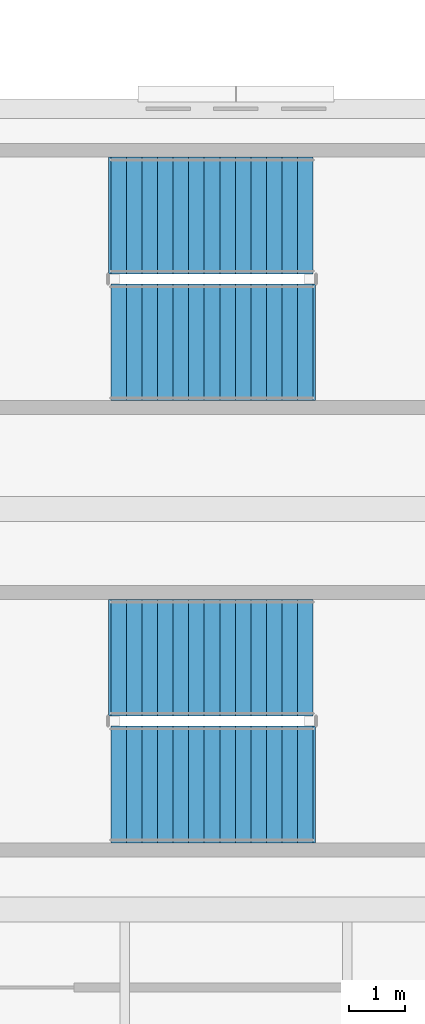
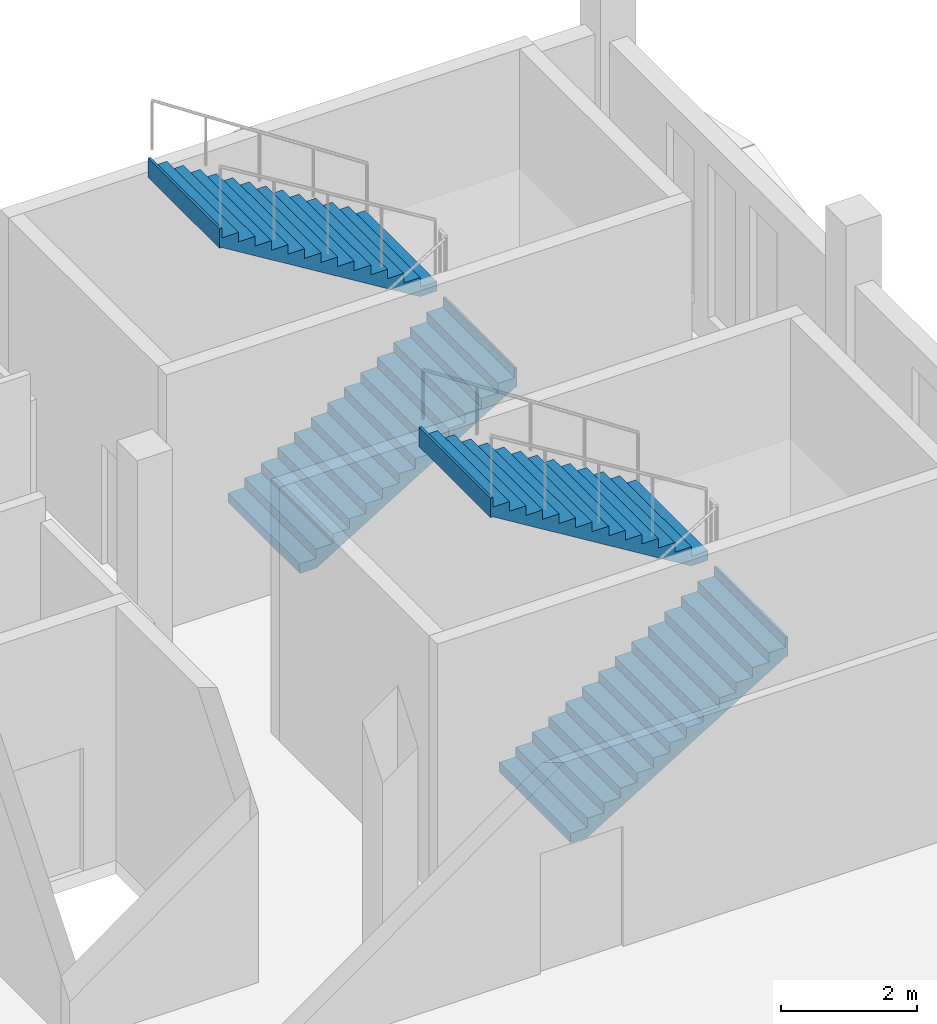
# One storey, part 15 of 23: 4 stair flights, 2 elements without a shape of their own.
"""IFC4 building model written with IfcOpenShell, lengths in metres."""

from ifc_helpers import new_model, si_unit, direction, frame, origin, place, context, subcontext, project, spatial, triangles, material, type_object, element, aggregate, save


model = new_model("IFC4")

# Units and contexts
model_context = context("Model", 3, precision=1e-05, world=origin(), true_north=direction((0.0, 1.0)))
body_context = subcontext(model_context, "Body", "Model", "MODEL_VIEW")
ifc_project = project(units=[si_unit("LENGTHUNIT", "METRE"), si_unit("AREAUNIT", "SQUARE_METRE"), si_unit("VOLUMEUNIT", "CUBIC_METRE"), si_unit("PLANEANGLEUNIT", "RADIAN"), si_unit("MASSUNIT", "GRAM", prefix="KILO")], contexts=[model_context])

# Site, building, storey
site_placement = place(None, origin())
site = spatial("IfcSite", under=ifc_project, at=site_placement, CompositionType="ELEMENT")
building_placement = place(site_placement, origin())
building = spatial("IfcBuilding", under=site, at=building_placement, Name="Cendralis Lancet Convention Centre", CompositionType="ELEMENT")
storey_placement = place(building_placement, frame((0.0, 0.0, 19.800048828125)))
storey = spatial("IfcBuildingStorey", under=building, at=storey_placement, Name="L04", CompositionType="ELEMENT", Elevation=19.800048828125)

# Stair, stair flights
ifc_material = material(Name="Concrete G35 (C35/45)", Category="concrete")
stair_type = type_object("IfcStairType", Name="ARC-ST-CORE", PredefinedType="HALF_TURN_STAIR", material=ifc_material)
stair_1_placement = place(storey_placement, origin())
stair_1 = element("IfcStair", 1, at=stair_1_placement, inside=storey, type_object=stair_type, Name="L04 Protected Exit Stair ST-15", PredefinedType="HALF_TURN_STAIR")
stair_flight_type = type_object("IfcStairFlightType", Name="ARC-SF-CORE", PredefinedType="STRAIGHT", material=ifc_material)
stair_flight_1_placement = place(storey_placement, frame((200.550048828125, 23.85009765625, 0.0), z_axis=(0.0, 0.0, 1.0), x_axis=(1.0, 0.0, 0.0)))
stair_flight_1 = element("IfcStairFlight", 2, at=stair_flight_1_placement, type_object=stair_flight_type, Name="ST-15 flight 1", NumberOfRisers=14, NumberOfTreads=13, PredefinedType="STRAIGHT", RiserHeight=0.171428571, TreadLength=0.28, context=body_context, shape_type="Tessellation", body=[
    triangles([(0.0, 0.0, 0.085714), (0.0, 1.050049, 0.0), (0.0, -1.050049, 0.0), (0.0, -1.050049, 0.171429), (0.0, 1.050049, 0.171429), (0.14, 0.0, 0.171429), (0.28, -1.050049, 0.171429), (0.28, 1.050049, 0.171429), (0.14, 0.0, 0.0), (0.28, -1.050049, 0.0), (0.28, 1.050049, 0.0), (0.28, 0.0, 0.257143), (0.28, -1.050049, 0.342857), (0.28, 1.050049, 0.342857), (0.283543, 0.0, 0.342857), (0.287085, -1.050049, 0.342857), (0.287085, 1.050049, 0.342857), (0.283543, 0.0, 0.0), (0.287085, -1.050049, 0.0), (0.287085, 1.050049, 0.0), (0.423543, 0.0, 0.342857), (0.56, -1.050049, 0.342857), (0.56, 1.050049, 0.342857), (0.423543, 0.0, 0.083545), (0.56, -1.050049, 0.167091), (0.56, 1.050049, 0.167091), (0.56, 0.0, 0.428572), (0.56, -1.050049, 0.514286), (0.56, 1.050049, 0.514286), (0.7, 0.0, 0.514286), (0.84, -1.050049, 0.514286), (0.84, 1.050049, 0.514286), (0.7, 0.0, 0.252806), (0.84, -1.050049, 0.33852), (0.84, 1.050049, 0.33852), (0.84, 0.0, 0.6), (0.84, -1.050049, 0.685714), (0.84, 1.050049, 0.685714), (0.98, 0.0, 0.685714), (1.12, -1.050049, 0.685714), (1.12, 1.050049, 0.685714), (0.98, 0.0, 0.424234), (1.12, -1.050049, 0.509948), (1.12, 1.050049, 0.509948), (1.12, 0.0, 0.771429), (1.12, -1.050049, 0.857143), (1.12, 1.050049, 0.857143), (1.26, 0.0, 0.857143), (1.4, -1.050049, 0.857143), (1.4, 1.050049, 0.857143), (1.26, 0.0, 0.595662), (1.4, -1.050049, 0.681377), (1.4, 1.050049, 0.681377), (1.4, 0.0, 0.942857), (1.4, -1.050049, 1.028571), (1.4, 1.050049, 1.028571), (1.54, 0.0, 1.028571), (1.68, -1.050049, 1.028571), (1.68, 1.050049, 1.028571), (1.54, 0.0, 0.767091), (1.68, -1.050049, 0.852805), (1.68, 1.050049, 0.852805), (1.68, 0.0, 1.114286), (1.68, -1.050049, 1.2), (1.68, 1.050049, 1.2), (1.82, 0.0, 1.2), (1.96, -1.050049, 1.2), (1.96, 1.050049, 1.2), (1.82, 0.0, 0.938519), (1.96, -1.050049, 1.024234), (1.96, 1.050049, 1.024234), (1.96, 0.0, 1.285715), (1.96, -1.050049, 1.371429), (1.96, 1.050049, 1.371429), (2.1, 0.0, 1.371429), (2.24, -1.050049, 1.371429), (2.24, 1.050049, 1.371429), (2.1, 0.0, 1.109948), (2.24, -1.050049, 1.195662), (2.24, 1.050049, 1.195662), (2.24, 0.0, 1.457143), (2.24, -1.050049, 1.542857), (2.24, 1.050049, 1.542857), (2.38, 0.0, 1.542857), (2.52, -1.050049, 1.542857), (2.52, 1.050049, 1.542857), (2.38, 0.0, 1.281376), (2.52, -1.050049, 1.367091), (2.52, 1.050049, 1.367091), (2.52, 0.0, 1.628572), (2.52, -1.050049, 1.714286), (2.52, 1.050049, 1.714286), (2.66, 0.0, 1.714286), (2.8, -1.050049, 1.714286), (2.8, 1.050049, 1.714286), (2.66, 0.0, 1.452806), (2.8, -1.050049, 1.53852), (2.8, 1.050049, 1.53852), (2.8, 0.0, 1.8), (2.8, -1.050049, 1.885714), (2.8, 1.050049, 1.885714), (2.94, 0.0, 1.885714), (3.08, -1.050049, 1.885714), (3.08, 1.050049, 1.885714), (2.94, 0.0, 1.624234), (3.08, -1.050049, 1.709948), (3.08, 1.050049, 1.709948), (3.08, 0.0, 1.971429), (3.08, -1.050049, 2.057143), (3.08, 1.050049, 2.057143), (3.22, 0.0, 2.057143), (3.36, -1.050049, 2.057143), (3.36, 1.050049, 2.057143), (3.22, 0.0, 1.795663), (3.36, -1.050049, 1.881377), (3.36, 1.050049, 1.881377), (3.36, 0.0, 2.142857), (3.36, -1.050049, 2.228571), (3.36, 1.050049, 2.228571), (3.5, 0.0, 2.228571), (3.64, -1.050049, 2.228571), (3.64, 1.050049, 2.228571), (3.5, 0.0, 1.967091), (3.64, -1.050049, 2.052805), (3.64, 1.050049, 2.052805), (3.64, 0.0, 2.314285), (3.64, -1.050049, 2.4), (3.64, 1.050049, 2.4), (3.66, 0.0, 2.4), (3.68, -1.050049, 2.4), (3.68, 1.050049, 2.4), (3.66, 0.0, 2.052805), (3.68, -1.050049, 2.052805), (3.68, 1.050049, 2.052805), (3.68, 0.0, 2.226403)], [[2, 3, 1], [3, 4, 1], [4, 5, 1], [5, 2, 1], [4, 7, 6], [7, 8, 6], [8, 5, 6], [5, 4, 6], [10, 3, 9], [3, 2, 9], [2, 11, 9], [11, 10, 9], [3, 10, 7], [3, 7, 4], [2, 8, 11], [2, 5, 8], [8, 7, 12], [7, 13, 12], [13, 14, 12], [14, 8, 12], [13, 16, 15], [16, 17, 15], [17, 14, 15], [14, 13, 15], [19, 10, 18], [10, 11, 18], [11, 20, 18], [20, 19, 18], [10, 19, 16], [10, 16, 7], [7, 16, 13], [11, 17, 20], [11, 8, 17], [8, 14, 17], [16, 22, 21], [22, 23, 21], [23, 17, 21], [17, 16, 21], [25, 19, 24], [19, 20, 24], [20, 26, 24], [26, 25, 24], [19, 25, 22], [19, 22, 16], [20, 23, 26], [20, 17, 23], [23, 22, 27], [22, 28, 27], [28, 29, 27], [29, 23, 27], [28, 31, 30], [31, 32, 30], [32, 29, 30], [29, 28, 30], [34, 25, 33], [25, 26, 33], [26, 35, 33], [35, 34, 33], [25, 34, 31], [25, 31, 22], [22, 31, 28], [26, 32, 35], [26, 23, 32], [23, 29, 32], [32, 31, 36], [31, 37, 36], [37, 38, 36], [38, 32, 36], [37, 40, 39], [40, 41, 39], [41, 38, 39], [38, 37, 39], [43, 34, 42], [34, 35, 42], [35, 44, 42], [44, 43, 42], [34, 43, 40], [34, 40, 31], [31, 40, 37], [35, 41, 44], [35, 32, 41], [32, 38, 41], [41, 40, 45], [40, 46, 45], [46, 47, 45], [47, 41, 45], [46, 49, 48], [49, 50, 48], [50, 47, 48], [47, 46, 48], [52, 43, 51], [43, 44, 51], [44, 53, 51], [53, 52, 51], [43, 52, 49], [43, 49, 40], [40, 49, 46], [44, 50, 53], [44, 41, 50], [41, 47, 50], [50, 49, 54], [49, 55, 54], [55, 56, 54], [56, 50, 54], [55, 58, 57], [58, 59, 57], [59, 56, 57], [56, 55, 57], [61, 52, 60], [52, 53, 60], [53, 62, 60], [62, 61, 60], [52, 61, 58], [52, 58, 49], [49, 58, 55], [53, 59, 62], [53, 50, 59], [50, 56, 59], [59, 58, 63], [58, 64, 63], [64, 65, 63], [65, 59, 63], [64, 67, 66], [67, 68, 66], [68, 65, 66], [65, 64, 66], [70, 61, 69], [61, 62, 69], [62, 71, 69], [71, 70, 69], [61, 70, 67], [61, 67, 58], [58, 67, 64], [62, 68, 71], [62, 59, 68], [59, 65, 68], [68, 67, 72], [67, 73, 72], [73, 74, 72], [74, 68, 72], [73, 76, 75], [76, 77, 75], [77, 74, 75], [74, 73, 75], [79, 70, 78], [70, 71, 78], [71, 80, 78], [80, 79, 78], [70, 79, 76], [70, 76, 67], [67, 76, 73], [71, 77, 80], [71, 68, 77], [68, 74, 77], [77, 76, 81], [76, 82, 81], [82, 83, 81], [83, 77, 81], [82, 85, 84], [85, 86, 84], [86, 83, 84], [83, 82, 84], [88, 79, 87], [79, 80, 87], [80, 89, 87], [89, 88, 87], [79, 88, 85], [79, 85, 76], [76, 85, 82], [80, 86, 89], [80, 77, 86], [77, 83, 86], [86, 85, 90], [85, 91, 90], [91, 92, 90], [92, 86, 90], [91, 94, 93], [94, 95, 93], [95, 92, 93], [92, 91, 93], [97, 88, 96], [88, 89, 96], [89, 98, 96], [98, 97, 96], [88, 97, 94], [88, 94, 85], [85, 94, 91], [89, 95, 98], [89, 86, 95], [86, 92, 95], [95, 94, 99], [94, 100, 99], [100, 101, 99], [101, 95, 99], [100, 103, 102], [103, 104, 102], [104, 101, 102], [101, 100, 102], [106, 97, 105], [97, 98, 105], [98, 107, 105], [107, 106, 105], [97, 106, 103], [97, 103, 94], [94, 103, 100], [98, 104, 107], [98, 95, 104], [95, 101, 104], [104, 103, 108], [103, 109, 108], [109, 110, 108], [110, 104, 108], [109, 112, 111], [112, 113, 111], [113, 110, 111], [110, 109, 111], [115, 106, 114], [106, 107, 114], [107, 116, 114], [116, 115, 114], [106, 115, 112], [106, 112, 103], [103, 112, 109], [107, 113, 116], [107, 104, 113], [104, 110, 113], [113, 112, 117], [112, 118, 117], [118, 119, 117], [119, 113, 117], [118, 121, 120], [121, 122, 120], [122, 119, 120], [119, 118, 120], [124, 115, 123], [115, 116, 123], [116, 125, 123], [125, 124, 123], [115, 124, 121], [115, 121, 112], [112, 121, 118], [116, 122, 125], [116, 113, 122], [113, 119, 122], [122, 121, 126], [121, 127, 126], [127, 128, 126], [128, 122, 126], [127, 130, 129], [130, 131, 129], [131, 128, 129], [128, 127, 129], [133, 124, 132], [124, 125, 132], [125, 134, 132], [134, 133, 132], [124, 133, 130], [124, 130, 121], [121, 130, 127], [125, 131, 134], [125, 122, 131], [122, 128, 131], [133, 134, 135], [134, 131, 135], [131, 130, 135], [130, 133, 135]], closed=True),
])
stair_flight_2_placement = place(storey_placement, frame((204.18994140625, 26.1298828125, 2.39990234375), z_axis=(0.0, 0.0, 1.0), x_axis=(-1.0, 0.0, 0.0)))
stair_flight_2 = element("IfcStairFlight", 3, at=stair_flight_2_placement, type_object=stair_flight_type, Name="ST-15 flight 2", NumberOfRisers=14, NumberOfTreads=13, PredefinedType="STRAIGHT", RiserHeight=0.171428571, TreadLength=0.28, context=body_context, shape_type="Tessellation", body=[
    triangles([(0.0, 0.0, 0.085714), (0.0, 1.050049, 0.0), (0.0, -1.050049, 0.0), (0.0, -1.050049, 0.171429), (0.0, 1.050049, 0.171429), (0.14, 0.0, 0.171429), (0.28, -1.050049, 0.171429), (0.28, 1.050049, 0.171429), (0.14, 0.0, 0.0), (0.28, -1.050049, 0.0), (0.28, 1.050049, 0.0), (0.28, 0.0, 0.257143), (0.28, -1.050049, 0.342857), (0.28, 1.050049, 0.342857), (0.283543, 0.0, 0.342857), (0.287085, -1.050049, 0.342857), (0.287085, 1.050049, 0.342857), (0.283543, 0.0, 0.0), (0.287085, -1.050049, 0.0), (0.287085, 1.050049, 0.0), (0.423543, 0.0, 0.342857), (0.56, -1.050049, 0.342857), (0.56, 1.050049, 0.342857), (0.423543, 0.0, 0.083545), (0.56, -1.050049, 0.167091), (0.56, 1.050049, 0.167091), (0.56, 0.0, 0.428572), (0.56, -1.050049, 0.514286), (0.56, 1.050049, 0.514286), (0.7, 0.0, 0.514286), (0.84, -1.050049, 0.514286), (0.84, 1.050049, 0.514286), (0.7, 0.0, 0.252806), (0.84, -1.050049, 0.33852), (0.84, 1.050049, 0.33852), (0.84, 0.0, 0.6), (0.84, -1.050049, 0.685714), (0.84, 1.050049, 0.685714), (0.98, 0.0, 0.685714), (1.12, -1.050049, 0.685714), (1.12, 1.050049, 0.685714), (0.98, 0.0, 0.424234), (1.12, -1.050049, 0.509948), (1.12, 1.050049, 0.509948), (1.12, 0.0, 0.771429), (1.12, -1.050049, 0.857143), (1.12, 1.050049, 0.857143), (1.26, 0.0, 0.857143), (1.4, -1.050049, 0.857143), (1.4, 1.050049, 0.857143), (1.26, 0.0, 0.595662), (1.4, -1.050049, 0.681377), (1.4, 1.050049, 0.681377), (1.4, 0.0, 0.942857), (1.4, -1.050049, 1.028571), (1.4, 1.050049, 1.028571), (1.54, 0.0, 1.028571), (1.68, -1.050049, 1.028571), (1.68, 1.050049, 1.028571), (1.54, 0.0, 0.767091), (1.68, -1.050049, 0.852805), (1.68, 1.050049, 0.852805), (1.68, 0.0, 1.114286), (1.68, -1.050049, 1.2), (1.68, 1.050049, 1.2), (1.82, 0.0, 1.2), (1.96, -1.050049, 1.2), (1.96, 1.050049, 1.2), (1.82, 0.0, 0.938519), (1.96, -1.050049, 1.024234), (1.96, 1.050049, 1.024234), (1.96, 0.0, 1.285715), (1.96, -1.050049, 1.371429), (1.96, 1.050049, 1.371429), (2.1, 0.0, 1.371429), (2.24, -1.050049, 1.371429), (2.24, 1.050049, 1.371429), (2.1, 0.0, 1.109948), (2.24, -1.050049, 1.195662), (2.24, 1.050049, 1.195662), (2.24, 0.0, 1.457143), (2.24, -1.050049, 1.542857), (2.24, 1.050049, 1.542857), (2.38, 0.0, 1.542857), (2.52, -1.050049, 1.542857), (2.52, 1.050049, 1.542857), (2.38, 0.0, 1.281376), (2.52, -1.050049, 1.367091), (2.52, 1.050049, 1.367091), (2.52, 0.0, 1.628572), (2.52, -1.050049, 1.714286), (2.52, 1.050049, 1.714286), (2.66, 0.0, 1.714286), (2.8, -1.050049, 1.714286), (2.8, 1.050049, 1.714286), (2.66, 0.0, 1.452806), (2.8, -1.050049, 1.53852), (2.8, 1.050049, 1.53852), (2.8, 0.0, 1.8), (2.8, -1.050049, 1.885714), (2.8, 1.050049, 1.885714), (2.94, 0.0, 1.885714), (3.08, -1.050049, 1.885714), (3.08, 1.050049, 1.885714), (2.94, 0.0, 1.624234), (3.08, -1.050049, 1.709948), (3.08, 1.050049, 1.709948), (3.08, 0.0, 1.971429), (3.08, -1.050049, 2.057143), (3.08, 1.050049, 2.057143), (3.22, 0.0, 2.057143), (3.36, -1.050049, 2.057143), (3.36, 1.050049, 2.057143), (3.22, 0.0, 1.795663), (3.36, -1.050049, 1.881377), (3.36, 1.050049, 1.881377), (3.36, 0.0, 2.142857), (3.36, -1.050049, 2.228571), (3.36, 1.050049, 2.228571), (3.5, 0.0, 2.228571), (3.64, -1.050049, 2.228571), (3.64, 1.050049, 2.228571), (3.5, 0.0, 1.967091), (3.64, -1.050049, 2.052805), (3.64, 1.050049, 2.052805), (3.64, 0.0, 2.314285), (3.64, -1.050049, 2.4), (3.64, 1.050049, 2.4), (3.66, 0.0, 2.4), (3.68, -1.050049, 2.4), (3.68, 1.050049, 2.4), (3.66, 0.0, 2.052805), (3.68, -1.050049, 2.052805), (3.68, 1.050049, 2.052805), (3.68, 0.0, 2.226403)], [[2, 3, 1], [3, 4, 1], [4, 5, 1], [5, 2, 1], [4, 7, 6], [7, 8, 6], [8, 5, 6], [5, 4, 6], [10, 3, 9], [3, 2, 9], [2, 11, 9], [11, 10, 9], [3, 10, 7], [3, 7, 4], [2, 8, 11], [2, 5, 8], [8, 7, 12], [7, 13, 12], [13, 14, 12], [14, 8, 12], [13, 16, 15], [16, 17, 15], [17, 14, 15], [14, 13, 15], [19, 10, 18], [10, 11, 18], [11, 20, 18], [20, 19, 18], [10, 19, 16], [10, 16, 7], [7, 16, 13], [11, 17, 20], [11, 8, 17], [8, 14, 17], [16, 22, 21], [22, 23, 21], [23, 17, 21], [17, 16, 21], [25, 19, 24], [19, 20, 24], [20, 26, 24], [26, 25, 24], [19, 25, 22], [19, 22, 16], [20, 23, 26], [20, 17, 23], [23, 22, 27], [22, 28, 27], [28, 29, 27], [29, 23, 27], [28, 31, 30], [31, 32, 30], [32, 29, 30], [29, 28, 30], [34, 25, 33], [25, 26, 33], [26, 35, 33], [35, 34, 33], [25, 34, 31], [25, 31, 22], [22, 31, 28], [26, 32, 35], [26, 23, 32], [23, 29, 32], [32, 31, 36], [31, 37, 36], [37, 38, 36], [38, 32, 36], [37, 40, 39], [40, 41, 39], [41, 38, 39], [38, 37, 39], [43, 34, 42], [34, 35, 42], [35, 44, 42], [44, 43, 42], [34, 43, 40], [34, 40, 31], [31, 40, 37], [35, 41, 44], [35, 32, 41], [32, 38, 41], [41, 40, 45], [40, 46, 45], [46, 47, 45], [47, 41, 45], [46, 49, 48], [49, 50, 48], [50, 47, 48], [47, 46, 48], [52, 43, 51], [43, 44, 51], [44, 53, 51], [53, 52, 51], [43, 52, 49], [43, 49, 40], [40, 49, 46], [44, 50, 53], [44, 41, 50], [41, 47, 50], [50, 49, 54], [49, 55, 54], [55, 56, 54], [56, 50, 54], [55, 58, 57], [58, 59, 57], [59, 56, 57], [56, 55, 57], [61, 52, 60], [52, 53, 60], [53, 62, 60], [62, 61, 60], [52, 61, 58], [52, 58, 49], [49, 58, 55], [53, 59, 62], [53, 50, 59], [50, 56, 59], [59, 58, 63], [58, 64, 63], [64, 65, 63], [65, 59, 63], [64, 67, 66], [67, 68, 66], [68, 65, 66], [65, 64, 66], [70, 61, 69], [61, 62, 69], [62, 71, 69], [71, 70, 69], [61, 70, 67], [61, 67, 58], [58, 67, 64], [62, 68, 71], [62, 59, 68], [59, 65, 68], [68, 67, 72], [67, 73, 72], [73, 74, 72], [74, 68, 72], [73, 76, 75], [76, 77, 75], [77, 74, 75], [74, 73, 75], [79, 70, 78], [70, 71, 78], [71, 80, 78], [80, 79, 78], [70, 79, 76], [70, 76, 67], [67, 76, 73], [71, 77, 80], [71, 68, 77], [68, 74, 77], [77, 76, 81], [76, 82, 81], [82, 83, 81], [83, 77, 81], [82, 85, 84], [85, 86, 84], [86, 83, 84], [83, 82, 84], [88, 79, 87], [79, 80, 87], [80, 89, 87], [89, 88, 87], [79, 88, 85], [79, 85, 76], [76, 85, 82], [80, 86, 89], [80, 77, 86], [77, 83, 86], [86, 85, 90], [85, 91, 90], [91, 92, 90], [92, 86, 90], [91, 94, 93], [94, 95, 93], [95, 92, 93], [92, 91, 93], [97, 88, 96], [88, 89, 96], [89, 98, 96], [98, 97, 96], [88, 97, 94], [88, 94, 85], [85, 94, 91], [89, 95, 98], [89, 86, 95], [86, 92, 95], [95, 94, 99], [94, 100, 99], [100, 101, 99], [101, 95, 99], [100, 103, 102], [103, 104, 102], [104, 101, 102], [101, 100, 102], [106, 97, 105], [97, 98, 105], [98, 107, 105], [107, 106, 105], [97, 106, 103], [97, 103, 94], [94, 103, 100], [98, 104, 107], [98, 95, 104], [95, 101, 104], [104, 103, 108], [103, 109, 108], [109, 110, 108], [110, 104, 108], [109, 112, 111], [112, 113, 111], [113, 110, 111], [110, 109, 111], [115, 106, 114], [106, 107, 114], [107, 116, 114], [116, 115, 114], [106, 115, 112], [106, 112, 103], [103, 112, 109], [107, 113, 116], [107, 104, 113], [104, 110, 113], [113, 112, 117], [112, 118, 117], [118, 119, 117], [119, 113, 117], [118, 121, 120], [121, 122, 120], [122, 119, 120], [119, 118, 120], [124, 115, 123], [115, 116, 123], [116, 125, 123], [125, 124, 123], [115, 124, 121], [115, 121, 112], [112, 121, 118], [116, 122, 125], [116, 113, 122], [113, 119, 122], [122, 121, 126], [121, 127, 126], [127, 128, 126], [128, 122, 126], [127, 130, 129], [130, 131, 129], [131, 128, 129], [128, 127, 129], [133, 124, 132], [124, 125, 132], [125, 134, 132], [134, 133, 132], [124, 133, 130], [124, 130, 121], [121, 130, 127], [125, 131, 134], [125, 122, 131], [122, 128, 131], [133, 134, 135], [134, 131, 135], [131, 130, 135], [130, 133, 135]], closed=True),
])
aggregate(stair_1, [stair_flight_1, stair_flight_2])

stair_2_placement = place(storey_placement, origin())
stair_2 = element("IfcStair", 4, at=stair_2_placement, inside=storey, type_object=stair_type, Name="L04 Protected Exit Stair ST-16", PredefinedType="HALF_TURN_STAIR")
stair_flight_3_placement = place(storey_placement, frame((200.550048828125, 31.800048828125, 0.0), z_axis=(0.0, 0.0, 1.0), x_axis=(1.0, 0.0, 0.0)))
stair_flight_3 = element("IfcStairFlight", 5, at=stair_flight_3_placement, type_object=stair_flight_type, Name="ST-16 flight 1", NumberOfRisers=14, NumberOfTreads=13, PredefinedType="STRAIGHT", RiserHeight=0.171428571, TreadLength=0.28, context=body_context, shape_type="Tessellation", body=[
    triangles([(0.0, 0.0, 0.085714), (0.0, 1.050049, 0.0), (0.0, -1.050049, 0.0), (0.0, -1.050049, 0.171429), (0.0, 1.050049, 0.171429), (0.14, 0.0, 0.171429), (0.28, -1.050049, 0.171429), (0.28, 1.050049, 0.171429), (0.14, 0.0, 0.0), (0.28, -1.050049, 0.0), (0.28, 1.050049, 0.0), (0.28, 0.0, 0.257143), (0.28, -1.050049, 0.342857), (0.28, 1.050049, 0.342857), (0.283543, 0.0, 0.342857), (0.287085, -1.050049, 0.342857), (0.287085, 1.050049, 0.342857), (0.283543, 0.0, 0.0), (0.287085, -1.050049, 0.0), (0.287085, 1.050049, 0.0), (0.423543, 0.0, 0.342857), (0.56, -1.050049, 0.342857), (0.56, 1.050049, 0.342857), (0.423543, 0.0, 0.083545), (0.56, -1.050049, 0.167091), (0.56, 1.050049, 0.167091), (0.56, 0.0, 0.428572), (0.56, -1.050049, 0.514286), (0.56, 1.050049, 0.514286), (0.7, 0.0, 0.514286), (0.84, -1.050049, 0.514286), (0.84, 1.050049, 0.514286), (0.7, 0.0, 0.252806), (0.84, -1.050049, 0.33852), (0.84, 1.050049, 0.33852), (0.84, 0.0, 0.6), (0.84, -1.050049, 0.685714), (0.84, 1.050049, 0.685714), (0.98, 0.0, 0.685714), (1.12, -1.050049, 0.685714), (1.12, 1.050049, 0.685714), (0.98, 0.0, 0.424234), (1.12, -1.050049, 0.509948), (1.12, 1.050049, 0.509948), (1.12, 0.0, 0.771429), (1.12, -1.050049, 0.857143), (1.12, 1.050049, 0.857143), (1.26, 0.0, 0.857143), (1.4, -1.050049, 0.857143), (1.4, 1.050049, 0.857143), (1.26, 0.0, 0.595662), (1.4, -1.050049, 0.681377), (1.4, 1.050049, 0.681377), (1.4, 0.0, 0.942857), (1.4, -1.050049, 1.028571), (1.4, 1.050049, 1.028571), (1.54, 0.0, 1.028571), (1.68, -1.050049, 1.028571), (1.68, 1.050049, 1.028571), (1.54, 0.0, 0.767091), (1.68, -1.050049, 0.852805), (1.68, 1.050049, 0.852805), (1.68, 0.0, 1.114286), (1.68, -1.050049, 1.2), (1.68, 1.050049, 1.2), (1.82, 0.0, 1.2), (1.96, -1.050049, 1.2), (1.96, 1.050049, 1.2), (1.82, 0.0, 0.938519), (1.96, -1.050049, 1.024234), (1.96, 1.050049, 1.024234), (1.96, 0.0, 1.285715), (1.96, -1.050049, 1.371429), (1.96, 1.050049, 1.371429), (2.1, 0.0, 1.371429), (2.24, -1.050049, 1.371429), (2.24, 1.050049, 1.371429), (2.1, 0.0, 1.109948), (2.24, -1.050049, 1.195662), (2.24, 1.050049, 1.195662), (2.24, 0.0, 1.457143), (2.24, -1.050049, 1.542857), (2.24, 1.050049, 1.542857), (2.38, 0.0, 1.542857), (2.52, -1.050049, 1.542857), (2.52, 1.050049, 1.542857), (2.38, 0.0, 1.281376), (2.52, -1.050049, 1.367091), (2.52, 1.050049, 1.367091), (2.52, 0.0, 1.628572), (2.52, -1.050049, 1.714286), (2.52, 1.050049, 1.714286), (2.66, 0.0, 1.714286), (2.8, -1.050049, 1.714286), (2.8, 1.050049, 1.714286), (2.66, 0.0, 1.452806), (2.8, -1.050049, 1.53852), (2.8, 1.050049, 1.53852), (2.8, 0.0, 1.8), (2.8, -1.050049, 1.885714), (2.8, 1.050049, 1.885714), (2.94, 0.0, 1.885714), (3.08, -1.050049, 1.885714), (3.08, 1.050049, 1.885714), (2.94, 0.0, 1.624234), (3.08, -1.050049, 1.709948), (3.08, 1.050049, 1.709948), (3.08, 0.0, 1.971429), (3.08, -1.050049, 2.057143), (3.08, 1.050049, 2.057143), (3.22, 0.0, 2.057143), (3.36, -1.050049, 2.057143), (3.36, 1.050049, 2.057143), (3.22, 0.0, 1.795663), (3.36, -1.050049, 1.881377), (3.36, 1.050049, 1.881377), (3.36, 0.0, 2.142857), (3.36, -1.050049, 2.228571), (3.36, 1.050049, 2.228571), (3.5, 0.0, 2.228571), (3.64, -1.050049, 2.228571), (3.64, 1.050049, 2.228571), (3.5, 0.0, 1.967091), (3.64, -1.050049, 2.052805), (3.64, 1.050049, 2.052805), (3.64, 0.0, 2.314285), (3.64, -1.050049, 2.4), (3.64, 1.050049, 2.4), (3.66, 0.0, 2.4), (3.68, -1.050049, 2.4), (3.68, 1.050049, 2.4), (3.66, 0.0, 2.052805), (3.68, -1.050049, 2.052805), (3.68, 1.050049, 2.052805), (3.68, 0.0, 2.226403)], [[2, 3, 1], [3, 4, 1], [4, 5, 1], [5, 2, 1], [4, 7, 6], [7, 8, 6], [8, 5, 6], [5, 4, 6], [10, 3, 9], [3, 2, 9], [2, 11, 9], [11, 10, 9], [3, 10, 7], [3, 7, 4], [2, 8, 11], [2, 5, 8], [8, 7, 12], [7, 13, 12], [13, 14, 12], [14, 8, 12], [13, 16, 15], [16, 17, 15], [17, 14, 15], [14, 13, 15], [19, 10, 18], [10, 11, 18], [11, 20, 18], [20, 19, 18], [10, 19, 16], [10, 16, 7], [7, 16, 13], [11, 17, 20], [11, 8, 17], [8, 14, 17], [16, 22, 21], [22, 23, 21], [23, 17, 21], [17, 16, 21], [25, 19, 24], [19, 20, 24], [20, 26, 24], [26, 25, 24], [19, 25, 22], [19, 22, 16], [20, 23, 26], [20, 17, 23], [23, 22, 27], [22, 28, 27], [28, 29, 27], [29, 23, 27], [28, 31, 30], [31, 32, 30], [32, 29, 30], [29, 28, 30], [34, 25, 33], [25, 26, 33], [26, 35, 33], [35, 34, 33], [25, 34, 31], [25, 31, 22], [22, 31, 28], [26, 32, 35], [26, 23, 32], [23, 29, 32], [32, 31, 36], [31, 37, 36], [37, 38, 36], [38, 32, 36], [37, 40, 39], [40, 41, 39], [41, 38, 39], [38, 37, 39], [43, 34, 42], [34, 35, 42], [35, 44, 42], [44, 43, 42], [34, 43, 40], [34, 40, 31], [31, 40, 37], [35, 41, 44], [35, 32, 41], [32, 38, 41], [41, 40, 45], [40, 46, 45], [46, 47, 45], [47, 41, 45], [46, 49, 48], [49, 50, 48], [50, 47, 48], [47, 46, 48], [52, 43, 51], [43, 44, 51], [44, 53, 51], [53, 52, 51], [43, 52, 49], [43, 49, 40], [40, 49, 46], [44, 50, 53], [44, 41, 50], [41, 47, 50], [50, 49, 54], [49, 55, 54], [55, 56, 54], [56, 50, 54], [55, 58, 57], [58, 59, 57], [59, 56, 57], [56, 55, 57], [61, 52, 60], [52, 53, 60], [53, 62, 60], [62, 61, 60], [52, 61, 58], [52, 58, 49], [49, 58, 55], [53, 59, 62], [53, 50, 59], [50, 56, 59], [59, 58, 63], [58, 64, 63], [64, 65, 63], [65, 59, 63], [64, 67, 66], [67, 68, 66], [68, 65, 66], [65, 64, 66], [70, 61, 69], [61, 62, 69], [62, 71, 69], [71, 70, 69], [61, 70, 67], [61, 67, 58], [58, 67, 64], [62, 68, 71], [62, 59, 68], [59, 65, 68], [68, 67, 72], [67, 73, 72], [73, 74, 72], [74, 68, 72], [73, 76, 75], [76, 77, 75], [77, 74, 75], [74, 73, 75], [79, 70, 78], [70, 71, 78], [71, 80, 78], [80, 79, 78], [70, 79, 76], [70, 76, 67], [67, 76, 73], [71, 77, 80], [71, 68, 77], [68, 74, 77], [77, 76, 81], [76, 82, 81], [82, 83, 81], [83, 77, 81], [82, 85, 84], [85, 86, 84], [86, 83, 84], [83, 82, 84], [88, 79, 87], [79, 80, 87], [80, 89, 87], [89, 88, 87], [79, 88, 85], [79, 85, 76], [76, 85, 82], [80, 86, 89], [80, 77, 86], [77, 83, 86], [86, 85, 90], [85, 91, 90], [91, 92, 90], [92, 86, 90], [91, 94, 93], [94, 95, 93], [95, 92, 93], [92, 91, 93], [97, 88, 96], [88, 89, 96], [89, 98, 96], [98, 97, 96], [88, 97, 94], [88, 94, 85], [85, 94, 91], [89, 95, 98], [89, 86, 95], [86, 92, 95], [95, 94, 99], [94, 100, 99], [100, 101, 99], [101, 95, 99], [100, 103, 102], [103, 104, 102], [104, 101, 102], [101, 100, 102], [106, 97, 105], [97, 98, 105], [98, 107, 105], [107, 106, 105], [97, 106, 103], [97, 103, 94], [94, 103, 100], [98, 104, 107], [98, 95, 104], [95, 101, 104], [104, 103, 108], [103, 109, 108], [109, 110, 108], [110, 104, 108], [109, 112, 111], [112, 113, 111], [113, 110, 111], [110, 109, 111], [115, 106, 114], [106, 107, 114], [107, 116, 114], [116, 115, 114], [106, 115, 112], [106, 112, 103], [103, 112, 109], [107, 113, 116], [107, 104, 113], [104, 110, 113], [113, 112, 117], [112, 118, 117], [118, 119, 117], [119, 113, 117], [118, 121, 120], [121, 122, 120], [122, 119, 120], [119, 118, 120], [124, 115, 123], [115, 116, 123], [116, 125, 123], [125, 124, 123], [115, 124, 121], [115, 121, 112], [112, 121, 118], [116, 122, 125], [116, 113, 122], [113, 119, 122], [122, 121, 126], [121, 127, 126], [127, 128, 126], [128, 122, 126], [127, 130, 129], [130, 131, 129], [131, 128, 129], [128, 127, 129], [133, 124, 132], [124, 125, 132], [125, 134, 132], [134, 133, 132], [124, 133, 130], [124, 130, 121], [121, 130, 127], [125, 131, 134], [125, 122, 131], [122, 128, 131], [133, 134, 135], [134, 131, 135], [131, 130, 135], [130, 133, 135]], closed=True),
])
stair_flight_4_placement = place(storey_placement, frame((204.18994140625, 34.080078125, 2.39990234375), z_axis=(0.0, 0.0, 1.0), x_axis=(-1.0, 0.0, 0.0)))
stair_flight_4 = element("IfcStairFlight", 6, at=stair_flight_4_placement, type_object=stair_flight_type, Name="ST-16 flight 2", NumberOfRisers=14, NumberOfTreads=13, PredefinedType="STRAIGHT", RiserHeight=0.171428571, TreadLength=0.28, context=body_context, shape_type="Tessellation", body=[
    triangles([(0.0, 0.0, 0.085714), (0.0, 1.050049, 0.0), (0.0, -1.050049, 0.0), (0.0, -1.050049, 0.171429), (0.0, 1.050049, 0.171429), (0.14, 0.0, 0.171429), (0.28, -1.050049, 0.171429), (0.28, 1.050049, 0.171429), (0.14, 0.0, 0.0), (0.28, -1.050049, 0.0), (0.28, 1.050049, 0.0), (0.28, 0.0, 0.257143), (0.28, -1.050049, 0.342857), (0.28, 1.050049, 0.342857), (0.283543, 0.0, 0.342857), (0.287085, -1.050049, 0.342857), (0.287085, 1.050049, 0.342857), (0.283543, 0.0, 0.0), (0.287085, -1.050049, 0.0), (0.287085, 1.050049, 0.0), (0.423543, 0.0, 0.342857), (0.56, -1.050049, 0.342857), (0.56, 1.050049, 0.342857), (0.423543, 0.0, 0.083545), (0.56, -1.050049, 0.167091), (0.56, 1.050049, 0.167091), (0.56, 0.0, 0.428572), (0.56, -1.050049, 0.514286), (0.56, 1.050049, 0.514286), (0.7, 0.0, 0.514286), (0.84, -1.050049, 0.514286), (0.84, 1.050049, 0.514286), (0.7, 0.0, 0.252806), (0.84, -1.050049, 0.33852), (0.84, 1.050049, 0.33852), (0.84, 0.0, 0.6), (0.84, -1.050049, 0.685714), (0.84, 1.050049, 0.685714), (0.98, 0.0, 0.685714), (1.12, -1.050049, 0.685714), (1.12, 1.050049, 0.685714), (0.98, 0.0, 0.424234), (1.12, -1.050049, 0.509948), (1.12, 1.050049, 0.509948), (1.12, 0.0, 0.771429), (1.12, -1.050049, 0.857143), (1.12, 1.050049, 0.857143), (1.26, 0.0, 0.857143), (1.4, -1.050049, 0.857143), (1.4, 1.050049, 0.857143), (1.26, 0.0, 0.595662), (1.4, -1.050049, 0.681377), (1.4, 1.050049, 0.681377), (1.4, 0.0, 0.942857), (1.4, -1.050049, 1.028571), (1.4, 1.050049, 1.028571), (1.54, 0.0, 1.028571), (1.68, -1.050049, 1.028571), (1.68, 1.050049, 1.028571), (1.54, 0.0, 0.767091), (1.68, -1.050049, 0.852805), (1.68, 1.050049, 0.852805), (1.68, 0.0, 1.114286), (1.68, -1.050049, 1.2), (1.68, 1.050049, 1.2), (1.82, 0.0, 1.2), (1.96, -1.050049, 1.2), (1.96, 1.050049, 1.2), (1.82, 0.0, 0.938519), (1.96, -1.050049, 1.024234), (1.96, 1.050049, 1.024234), (1.96, 0.0, 1.285715), (1.96, -1.050049, 1.371429), (1.96, 1.050049, 1.371429), (2.1, 0.0, 1.371429), (2.24, -1.050049, 1.371429), (2.24, 1.050049, 1.371429), (2.1, 0.0, 1.109948), (2.24, -1.050049, 1.195662), (2.24, 1.050049, 1.195662), (2.24, 0.0, 1.457143), (2.24, -1.050049, 1.542857), (2.24, 1.050049, 1.542857), (2.38, 0.0, 1.542857), (2.52, -1.050049, 1.542857), (2.52, 1.050049, 1.542857), (2.38, 0.0, 1.281376), (2.52, -1.050049, 1.367091), (2.52, 1.050049, 1.367091), (2.52, 0.0, 1.628572), (2.52, -1.050049, 1.714286), (2.52, 1.050049, 1.714286), (2.66, 0.0, 1.714286), (2.8, -1.050049, 1.714286), (2.8, 1.050049, 1.714286), (2.66, 0.0, 1.452806), (2.8, -1.050049, 1.53852), (2.8, 1.050049, 1.53852), (2.8, 0.0, 1.8), (2.8, -1.050049, 1.885714), (2.8, 1.050049, 1.885714), (2.94, 0.0, 1.885714), (3.08, -1.050049, 1.885714), (3.08, 1.050049, 1.885714), (2.94, 0.0, 1.624234), (3.08, -1.050049, 1.709948), (3.08, 1.050049, 1.709948), (3.08, 0.0, 1.971429), (3.08, -1.050049, 2.057143), (3.08, 1.050049, 2.057143), (3.22, 0.0, 2.057143), (3.36, -1.050049, 2.057143), (3.36, 1.050049, 2.057143), (3.22, 0.0, 1.795663), (3.36, -1.050049, 1.881377), (3.36, 1.050049, 1.881377), (3.36, 0.0, 2.142857), (3.36, -1.050049, 2.228571), (3.36, 1.050049, 2.228571), (3.5, 0.0, 2.228571), (3.64, -1.050049, 2.228571), (3.64, 1.050049, 2.228571), (3.5, 0.0, 1.967091), (3.64, -1.050049, 2.052805), (3.64, 1.050049, 2.052805), (3.64, 0.0, 2.314285), (3.64, -1.050049, 2.4), (3.64, 1.050049, 2.4), (3.66, 0.0, 2.4), (3.68, -1.050049, 2.4), (3.68, 1.050049, 2.4), (3.66, 0.0, 2.052805), (3.68, -1.050049, 2.052805), (3.68, 1.050049, 2.052805), (3.68, 0.0, 2.226403)], [[2, 3, 1], [3, 4, 1], [4, 5, 1], [5, 2, 1], [4, 7, 6], [7, 8, 6], [8, 5, 6], [5, 4, 6], [10, 3, 9], [3, 2, 9], [2, 11, 9], [11, 10, 9], [3, 10, 7], [3, 7, 4], [2, 8, 11], [2, 5, 8], [8, 7, 12], [7, 13, 12], [13, 14, 12], [14, 8, 12], [13, 16, 15], [16, 17, 15], [17, 14, 15], [14, 13, 15], [19, 10, 18], [10, 11, 18], [11, 20, 18], [20, 19, 18], [10, 19, 16], [10, 16, 7], [7, 16, 13], [11, 17, 20], [11, 8, 17], [8, 14, 17], [16, 22, 21], [22, 23, 21], [23, 17, 21], [17, 16, 21], [25, 19, 24], [19, 20, 24], [20, 26, 24], [26, 25, 24], [19, 25, 22], [19, 22, 16], [20, 23, 26], [20, 17, 23], [23, 22, 27], [22, 28, 27], [28, 29, 27], [29, 23, 27], [28, 31, 30], [31, 32, 30], [32, 29, 30], [29, 28, 30], [34, 25, 33], [25, 26, 33], [26, 35, 33], [35, 34, 33], [25, 34, 31], [25, 31, 22], [22, 31, 28], [26, 32, 35], [26, 23, 32], [23, 29, 32], [32, 31, 36], [31, 37, 36], [37, 38, 36], [38, 32, 36], [37, 40, 39], [40, 41, 39], [41, 38, 39], [38, 37, 39], [43, 34, 42], [34, 35, 42], [35, 44, 42], [44, 43, 42], [34, 43, 40], [34, 40, 31], [31, 40, 37], [35, 41, 44], [35, 32, 41], [32, 38, 41], [41, 40, 45], [40, 46, 45], [46, 47, 45], [47, 41, 45], [46, 49, 48], [49, 50, 48], [50, 47, 48], [47, 46, 48], [52, 43, 51], [43, 44, 51], [44, 53, 51], [53, 52, 51], [43, 52, 49], [43, 49, 40], [40, 49, 46], [44, 50, 53], [44, 41, 50], [41, 47, 50], [50, 49, 54], [49, 55, 54], [55, 56, 54], [56, 50, 54], [55, 58, 57], [58, 59, 57], [59, 56, 57], [56, 55, 57], [61, 52, 60], [52, 53, 60], [53, 62, 60], [62, 61, 60], [52, 61, 58], [52, 58, 49], [49, 58, 55], [53, 59, 62], [53, 50, 59], [50, 56, 59], [59, 58, 63], [58, 64, 63], [64, 65, 63], [65, 59, 63], [64, 67, 66], [67, 68, 66], [68, 65, 66], [65, 64, 66], [70, 61, 69], [61, 62, 69], [62, 71, 69], [71, 70, 69], [61, 70, 67], [61, 67, 58], [58, 67, 64], [62, 68, 71], [62, 59, 68], [59, 65, 68], [68, 67, 72], [67, 73, 72], [73, 74, 72], [74, 68, 72], [73, 76, 75], [76, 77, 75], [77, 74, 75], [74, 73, 75], [79, 70, 78], [70, 71, 78], [71, 80, 78], [80, 79, 78], [70, 79, 76], [70, 76, 67], [67, 76, 73], [71, 77, 80], [71, 68, 77], [68, 74, 77], [77, 76, 81], [76, 82, 81], [82, 83, 81], [83, 77, 81], [82, 85, 84], [85, 86, 84], [86, 83, 84], [83, 82, 84], [88, 79, 87], [79, 80, 87], [80, 89, 87], [89, 88, 87], [79, 88, 85], [79, 85, 76], [76, 85, 82], [80, 86, 89], [80, 77, 86], [77, 83, 86], [86, 85, 90], [85, 91, 90], [91, 92, 90], [92, 86, 90], [91, 94, 93], [94, 95, 93], [95, 92, 93], [92, 91, 93], [97, 88, 96], [88, 89, 96], [89, 98, 96], [98, 97, 96], [88, 97, 94], [88, 94, 85], [85, 94, 91], [89, 95, 98], [89, 86, 95], [86, 92, 95], [95, 94, 99], [94, 100, 99], [100, 101, 99], [101, 95, 99], [100, 103, 102], [103, 104, 102], [104, 101, 102], [101, 100, 102], [106, 97, 105], [97, 98, 105], [98, 107, 105], [107, 106, 105], [97, 106, 103], [97, 103, 94], [94, 103, 100], [98, 104, 107], [98, 95, 104], [95, 101, 104], [104, 103, 108], [103, 109, 108], [109, 110, 108], [110, 104, 108], [109, 112, 111], [112, 113, 111], [113, 110, 111], [110, 109, 111], [115, 106, 114], [106, 107, 114], [107, 116, 114], [116, 115, 114], [106, 115, 112], [106, 112, 103], [103, 112, 109], [107, 113, 116], [107, 104, 113], [104, 110, 113], [113, 112, 117], [112, 118, 117], [118, 119, 117], [119, 113, 117], [118, 121, 120], [121, 122, 120], [122, 119, 120], [119, 118, 120], [124, 115, 123], [115, 116, 123], [116, 125, 123], [125, 124, 123], [115, 124, 121], [115, 121, 112], [112, 121, 118], [116, 122, 125], [116, 113, 122], [113, 119, 122], [122, 121, 126], [121, 127, 126], [127, 128, 126], [128, 122, 126], [127, 130, 129], [130, 131, 129], [131, 128, 129], [128, 127, 129], [133, 124, 132], [124, 125, 132], [125, 134, 132], [134, 133, 132], [124, 133, 130], [124, 130, 121], [121, 130, 127], [125, 131, 134], [125, 122, 131], [122, 128, 131], [133, 134, 135], [134, 131, 135], [131, 130, 135], [130, 133, 135]], closed=True),
])
aggregate(stair_2, [stair_flight_3, stair_flight_4])

save(model, "model.ifc")
